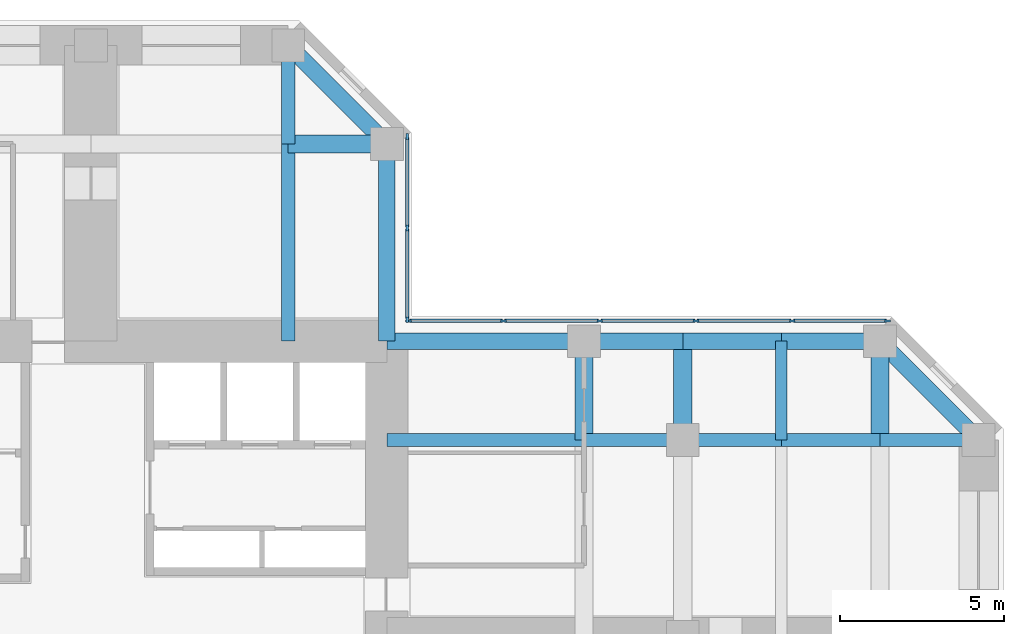
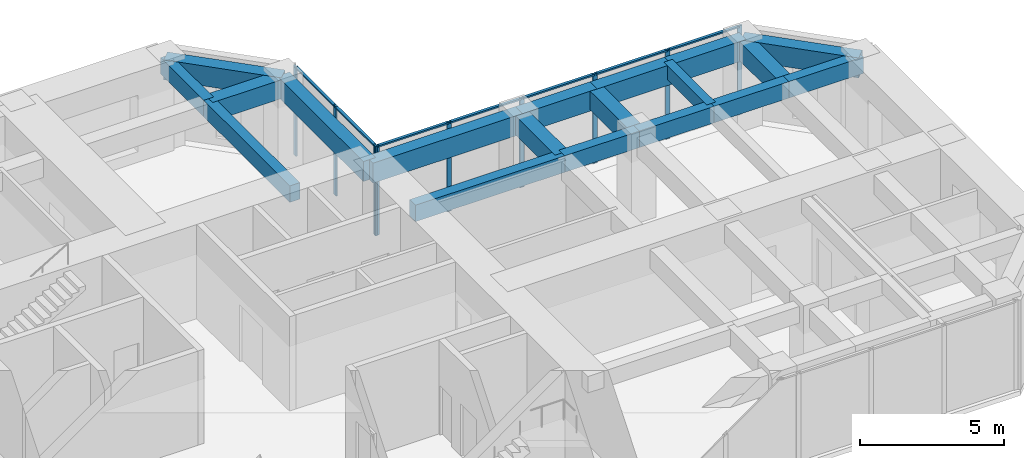
# One storey, part 6 of 12: 19 beams, 16 members, 2 elements without a shape of their own.
"""IFC4 building model written with IfcOpenShell, lengths in metres."""

from ifc_helpers import new_model, si_unit, direction, frame, origin, origin_2d, place, context, subcontext, project, spatial, rectangle, extrude, material, material_profile, profile_set, type_object, element, aggregate, save


model = new_model("IFC4")

# Units and contexts
model_context = context("Model", 3, precision=1e-05, world=origin(), true_north=direction((0.0, 1.0)))
body_context = subcontext(model_context, "Body", "Model", "MODEL_VIEW")
ifc_project = project(units=[si_unit("LENGTHUNIT", "METRE"), si_unit("AREAUNIT", "SQUARE_METRE"), si_unit("VOLUMEUNIT", "CUBIC_METRE"), si_unit("PLANEANGLEUNIT", "RADIAN"), si_unit("MASSUNIT", "GRAM", prefix="KILO")], contexts=[model_context])

# Site, building, storey
site_placement = place(None, origin())
site = spatial("IfcSite", under=ifc_project, at=site_placement, CompositionType="ELEMENT")
building_placement = place(site_placement, origin())
building = spatial("IfcBuilding", under=site, at=building_placement, Name="Torre Cruceta", CompositionType="ELEMENT")
storey_placement = place(building_placement, frame((0.0, 0.0, 116.5)))
storey = spatial("IfcBuildingStorey", under=building, at=storey_placement, Name="L28", CompositionType="ELEMENT", Elevation=116.5)

# Beams
ifc_material_1 = material(Name="Concrete G60 (fck 60 MPa)", Category="concrete")
ifc_material_profile_1 = material_profile(ifc_material_1, rectangle(XDim=0.39990234375, YDim=0.699951171875, at=origin_2d()), Name="RC 400X700")
ifc_profile_set_1 = profile_set([ifc_material_profile_1], Name="Concrete G60 (fck 60 MPa)")
beam_type_1 = type_object("IfcBeamType", Name="COLUMN LINE BEAM RC 400X700", PredefinedType="BEAM", material=ifc_profile_set_1)
beam_1_placement = place(storey_placement, frame((6.0, 9.0, 3.449951171875), z_axis=(0.0, 1.0, 0.0), x_axis=(-1.0, 0.0, 0.0)))
element("IfcBeam", 1, at=beam_1_placement, inside=storey, type_object=beam_type_1, Name="LB5 L28 N col- 1", PredefinedType="BEAM", context=body_context, shape_type="SweptSolid", body=[
    extrude(rectangle(XDim=0.39990234375, YDim=0.699951171875, at=origin_2d()), origin(), (0.0, 0.0, 1.0), 6.0),
])
beam_2_placement = place(storey_placement, frame((6.0, 15.0, 3.449951171875), z_axis=(0.0, 1.0, 0.0), x_axis=(-1.0, 0.0, 0.0)))
element("IfcBeam", 2, at=beam_2_placement, inside=storey, type_object=beam_type_1, Name="LB5 L28 N col- 2", PredefinedType="BEAM", context=body_context, shape_type="SweptSolid", body=[
    extrude(rectangle(XDim=0.39990234375, YDim=0.699951171875, at=origin_2d()), origin(), (0.0, 0.0, 1.0), 3.0),
])
beam_3_placement = place(storey_placement, frame((9.0, 6.0, 3.449951171875), z_axis=(1.0, 0.0, 0.0), x_axis=(0.0, 1.0, 0.0)))
element("IfcBeam", 3, at=beam_3_placement, inside=storey, type_object=beam_type_1, Name="LB5 L28 E col+ 1", PredefinedType="BEAM", context=body_context, shape_type="SweptSolid", body=[
    extrude(rectangle(XDim=0.39990234375, YDim=0.699951171875, at=origin_2d()), origin(), (0.0, 0.0, 1.0), 6.0),
])
for number, where, z_axis, x_axis, name in (
    (4, (15.0, 6.0, 3.449951171875), (1.0, 0.0, 0.0), (0.0, 1.0, 0.0), "LB5 L28 E col+ 2"),
    (5, (18.0, 6.0, 3.449951171875), (1.0, 0.0, 0.0), (0.0, 1.0, 0.0), "LB5 L28 E col+ 3"),
    (6, (21.0, 6.0, 3.449951171875), (1.0, 0.0, 0.0), (0.0, 1.0, 0.0), "LB5 L28 E col+ 4"),
    (7, (24.0, 6.0, 3.449951171875), (1.0, 0.0, 0.0), (0.0, 1.0, 0.0), "LB5 L28 E col+ 5"),
):
    element("IfcBeam", number, at=place(storey_placement, frame(where, z_axis=z_axis, x_axis=x_axis)), inside=storey, type_object=beam_type_1, Name=name, PredefinedType="BEAM", context=body_context, shape_type="SweptSolid", body=[
        extrude(rectangle(XDim=0.39990234375, YDim=0.699951171875, at=origin_2d()), origin(), (0.0, 0.0, 1.0), 3.0),
    ])
ifc_material_2 = material(Name="Concrete G60 (fck 60 MPa)", Category="concrete")
ifc_material_profile_2 = material_profile(ifc_material_2, rectangle(XDim=0.550048828125, YDim=0.800048828125, at=origin_2d()), Name="RC 550X800")
ifc_profile_set_2 = profile_set([ifc_material_profile_2], Name="Concrete G60 (fck 60 MPa)")
beam_type_2 = type_object("IfcBeamType", Name="CROSS BEAM RC 550X800", PredefinedType="BEAM", material=ifc_profile_set_2)
for number, where, z_axis, x_axis, name in (
    (8, (9.0, 15.0, 3.39990234375), (-1.0, 0.0, 0.0), (0.0, -1.0, 0.0), "GB5 L28 N cross15 1"),
    (9, (15.0, 6.0, 3.39990234375), (0.0, 1.0, 0.0), (-1.0, 0.0, 0.0), "GB5 L28 E cross15 4"),
    (10, (18.0, 6.0, 3.39990234375), (0.0, 1.0, 0.0), (-1.0, 0.0, 0.0), "GB5 L28 E cross18 4"),
    (11, (24.0, 6.0, 3.39990234375), (0.0, 1.0, 0.0), (-1.0, 0.0, 0.0), "GB5 L28 E cross24 4"),
):
    element("IfcBeam", number, at=place(storey_placement, frame(where, z_axis=z_axis, x_axis=x_axis)), inside=storey, type_object=beam_type_2, Name=name, PredefinedType="BEAM", context=body_context, shape_type="SweptSolid", body=[
        extrude(rectangle(XDim=0.550048828125, YDim=0.800048828125, at=origin_2d()), origin(), (0.0, 0.0, 1.0), 3.0),
    ])

# Curtain wall, members
ifc_material_3 = material(Name="Aluminium unitised curtain wall", Category="aluminium")
curtain_wall_type = type_object("IfcCurtainWallType", Name="CURTAIN WALL CW-B OFFICE MID RISE", PredefinedType="USERDEFINED", material=ifc_material_3)
curtain_wall_1_placement = place(storey_placement, origin())
curtain_wall_1 = element("IfcCurtainWall", 12, at=curtain_wall_1_placement, inside=storey, type_object=curtain_wall_type, Name="CW-B L28 E side 04", ObjectType="UNITISED", PredefinedType="USERDEFINED")
ifc_material_4 = material(Name="Aluminium mullion", Category="aluminium")
ifc_material_profile_3 = material_profile(ifc_material_4, rectangle(XDim=0.06494140625, YDim=0.179931640625, at=origin_2d()), Name="AL 65X180")
ifc_profile_set_3 = profile_set([ifc_material_profile_3], Name="Aluminium mullion")
member_type_1 = type_object("IfcMemberType", Name="CW-B MULLION 65X180", PredefinedType="MULLION", material=ifc_profile_set_3)
member_1_placement = place(storey_placement, frame((24.224365234375, 9.6201171875, 0.0), z_axis=(0.0, 0.0, 1.0), x_axis=(0.0, -1.0, 0.0)))
member_1 = element("IfcMember", 13, at=member_1_placement, type_object=member_type_1, Name="CW-B mullion 1", PredefinedType="MULLION", context=body_context, shape_type="SweptSolid", body=[
    extrude(rectangle(XDim=0.06494140625, YDim=0.179931640625, at=origin_2d()), origin(), (0.0, 0.0, 1.0), 3.800048828125),
])
member_2_placement = place(storey_placement, frame((21.329345703125, 9.6201171875, 0.0), z_axis=(0.0, 0.0, 1.0), x_axis=(0.0, -1.0, 0.0)))
member_2 = element("IfcMember", 14, at=member_2_placement, type_object=member_type_1, Name="CW-B mullion 2", PredefinedType="MULLION", context=body_context, shape_type="SweptSolid", body=[
    extrude(rectangle(XDim=0.06494140625, YDim=0.179931640625, at=origin_2d()), origin(), (0.0, 0.0, 1.0), 3.800048828125),
])
member_3_placement = place(storey_placement, frame((18.402099609375, 9.6201171875, 0.0), z_axis=(0.0, 0.0, 1.0), x_axis=(0.0, -1.0, 0.0)))
member_3 = element("IfcMember", 15, at=member_3_placement, type_object=member_type_1, Name="CW-B mullion 3", PredefinedType="MULLION", context=body_context, shape_type="SweptSolid", body=[
    extrude(rectangle(XDim=0.06494140625, YDim=0.179931640625, at=origin_2d()), origin(), (0.0, 0.0, 1.0), 3.800048828125),
])
member_4_placement = place(storey_placement, frame((15.474609375, 9.6201171875, 0.0), z_axis=(0.0, 0.0, 1.0), x_axis=(0.0, -1.0, 0.0)))
member_4 = element("IfcMember", 16, at=member_4_placement, type_object=member_type_1, Name="CW-B mullion 4", PredefinedType="MULLION", context=body_context, shape_type="SweptSolid", body=[
    extrude(rectangle(XDim=0.06494140625, YDim=0.179931640625, at=origin_2d()), origin(), (0.0, 0.0, 1.0), 3.800048828125),
])
member_5_placement = place(storey_placement, frame((12.54736328125, 9.6201171875, 0.0), z_axis=(0.0, 0.0, 1.0), x_axis=(0.0, -1.0, 0.0)))
member_5 = element("IfcMember", 17, at=member_5_placement, type_object=member_type_1, Name="CW-B mullion 5", PredefinedType="MULLION", context=body_context, shape_type="SweptSolid", body=[
    extrude(rectangle(XDim=0.06494140625, YDim=0.179931640625, at=origin_2d()), origin(), (0.0, 0.0, 1.0), 3.800048828125),
])
member_6_placement = place(storey_placement, frame((9.652587890625, 9.6201171875, 0.0), z_axis=(0.0, 0.0, 1.0), x_axis=(0.0, -1.0, 0.0)))
member_6 = element("IfcMember", 18, at=member_6_placement, type_object=member_type_1, Name="CW-B mullion 6", PredefinedType="MULLION", context=body_context, shape_type="SweptSolid", body=[
    extrude(rectangle(XDim=0.06494140625, YDim=0.179931640625, at=origin_2d()), origin(), (0.0, 0.0, 1.0), 3.800048828125),
])

curtain_wall_2_placement = place(storey_placement, origin())
curtain_wall_2 = element("IfcCurtainWall", 19, at=curtain_wall_2_placement, inside=storey, type_object=curtain_wall_type, Name="CW-B L28 N side 05", ObjectType="UNITISED", PredefinedType="USERDEFINED")
member_7_placement = place(storey_placement, frame((9.6201171875, 9.652587890625, 0.0), z_axis=(0.0, 0.0, 1.0), x_axis=(-1.0, 0.0, 0.0)))
member_7 = element("IfcMember", 20, at=member_7_placement, type_object=member_type_1, Name="CW-B mullion 1", PredefinedType="MULLION", context=body_context, shape_type="SweptSolid", body=[
    extrude(rectangle(XDim=0.06494140625, YDim=0.179931640625, at=origin_2d()), origin(), (0.0, 0.0, 1.0), 3.800048828125),
])
member_8_placement = place(storey_placement, frame((9.6201171875, 12.4384765625, 0.0), z_axis=(0.0, 0.0, 1.0), x_axis=(-1.0, 0.0, 0.0)))
member_8 = element("IfcMember", 21, at=member_8_placement, type_object=member_type_1, Name="CW-B mullion 2", PredefinedType="MULLION", context=body_context, shape_type="SweptSolid", body=[
    extrude(rectangle(XDim=0.06494140625, YDim=0.179931640625, at=origin_2d()), origin(), (0.0, 0.0, 1.0), 3.800048828125),
])
member_9_placement = place(storey_placement, frame((9.6201171875, 15.224365234375, 0.0), z_axis=(0.0, 0.0, 1.0), x_axis=(-1.0, 0.0, 0.0)))
member_9 = element("IfcMember", 22, at=member_9_placement, type_object=member_type_1, Name="CW-B mullion 3", PredefinedType="MULLION", context=body_context, shape_type="SweptSolid", body=[
    extrude(rectangle(XDim=0.06494140625, YDim=0.179931640625, at=origin_2d()), origin(), (0.0, 0.0, 1.0), 3.800048828125),
])

# Member
ifc_material_5 = material(Name="Aluminium transom", Category="aluminium")
ifc_material_profile_4 = material_profile(ifc_material_5, rectangle(XDim=0.110107421875, YDim=0.06494140625, at=origin_2d()), Name="AL 110X65")
ifc_profile_set_4 = profile_set([ifc_material_profile_4], Name="Aluminium transom")
member_type_2 = type_object("IfcMemberType", Name="CW-B TRANSOM 65X110", PredefinedType="USERDEFINED", material=ifc_profile_set_4)
member_10_placement = place(storey_placement, frame((24.19189453125, 9.6201171875, 3.767578125), z_axis=(-1.0, 0.0, 0.0), x_axis=(0.0, -1.0, 0.0)))
member_10 = element("IfcMember", 23, at=member_10_placement, type_object=member_type_2, Name="CW-B transom 1", ObjectType="TRANSOM", PredefinedType="USERDEFINED", context=body_context, shape_type="SweptSolid", body=[
    extrude(rectangle(XDim=0.110107421875, YDim=0.06494140625, at=origin_2d()), origin(), (0.0, 0.0, 1.0), 2.829833984375),
])

member_11_placement = place(storey_placement, frame((21.296875, 9.6201171875, 3.767578125), z_axis=(-1.0, 0.0, 0.0), x_axis=(0.0, -1.0, 0.0)))
member_11 = element("IfcMember", 24, at=member_11_placement, type_object=member_type_2, Name="CW-B transom 2", ObjectType="TRANSOM", PredefinedType="USERDEFINED", context=body_context, shape_type="SweptSolid", body=[
    extrude(rectangle(XDim=0.110107421875, YDim=0.06494140625, at=origin_2d()), origin(), (0.0, 0.0, 1.0), 2.8623046875),
])

member_12_placement = place(storey_placement, frame((18.36962890625, 9.6201171875, 3.767578125), z_axis=(-1.0, 0.0, 0.0), x_axis=(0.0, -1.0, 0.0)))
member_12 = element("IfcMember", 25, at=member_12_placement, type_object=member_type_2, Name="CW-B transom 3", ObjectType="TRANSOM", PredefinedType="USERDEFINED", context=body_context, shape_type="SweptSolid", body=[
    extrude(rectangle(XDim=0.110107421875, YDim=0.06494140625, at=origin_2d()), origin(), (0.0, 0.0, 1.0), 2.8623046875),
])

member_13_placement = place(storey_placement, frame((15.442138671875, 9.6201171875, 3.767578125), z_axis=(-1.0, 0.0, 0.0), x_axis=(0.0, -1.0, 0.0)))
member_13 = element("IfcMember", 26, at=member_13_placement, type_object=member_type_2, Name="CW-B transom 4", ObjectType="TRANSOM", PredefinedType="USERDEFINED", context=body_context, shape_type="SweptSolid", body=[
    extrude(rectangle(XDim=0.110107421875, YDim=0.06494140625, at=origin_2d()), origin(), (0.0, 0.0, 1.0), 2.8623046875),
])

member_14_placement = place(storey_placement, frame((12.514892578125, 9.6201171875, 3.767578125), z_axis=(-1.0, 0.0, 0.0), x_axis=(0.0, -1.0, 0.0)))
member_14 = element("IfcMember", 27, at=member_14_placement, type_object=member_type_2, Name="CW-B transom 5", ObjectType="TRANSOM", PredefinedType="USERDEFINED", context=body_context, shape_type="SweptSolid", body=[
    extrude(rectangle(XDim=0.110107421875, YDim=0.06494140625, at=origin_2d()), origin(), (0.0, 0.0, 1.0), 2.829833984375),
])

aggregate(curtain_wall_1, [member_1, member_2, member_3, member_4, member_5, member_6, member_10, member_11, member_12, member_13, member_14])

member_15_placement = place(storey_placement, frame((9.6201171875, 9.68505859375, 3.767578125), z_axis=(0.0, 1.0, 0.0), x_axis=(-1.0, 0.0, 0.0)))
member_15 = element("IfcMember", 28, at=member_15_placement, type_object=member_type_2, Name="CW-B transom 1", ObjectType="TRANSOM", PredefinedType="USERDEFINED", context=body_context, shape_type="SweptSolid", body=[
    extrude(rectangle(XDim=0.110107421875, YDim=0.06494140625, at=origin_2d()), origin(), (0.0, 0.0, 1.0), 2.720947265625),
])

member_16_placement = place(storey_placement, frame((9.6201171875, 12.470947265625, 3.767578125), z_axis=(0.0, 1.0, 0.0), x_axis=(-1.0, 0.0, 0.0)))
member_16 = element("IfcMember", 29, at=member_16_placement, type_object=member_type_2, Name="CW-B transom 2", ObjectType="TRANSOM", PredefinedType="USERDEFINED", context=body_context, shape_type="SweptSolid", body=[
    extrude(rectangle(XDim=0.110107421875, YDim=0.06494140625, at=origin_2d()), origin(), (0.0, 0.0, 1.0), 2.720947265625),
])

aggregate(curtain_wall_2, [member_7, member_8, member_9, member_15, member_16])

# Beams
ifc_material_6 = material(Name="Concrete G60 (fck 60 MPa)", Category="concrete")
ifc_material_profile_5 = material_profile(ifc_material_6, rectangle(XDim=0.35009765625, YDim=0.60009765625, at=origin_2d()), Name="RC 350X600")
ifc_profile_set_5 = profile_set([ifc_material_profile_5], Name="Concrete G60 (fck 60 MPa)")
beam_type_3 = type_object("IfcBeamType", Name="SECONDARY BEAM RC 350X600", PredefinedType="JOIST", material=ifc_profile_set_5)
beam_4_placement = place(storey_placement, frame((21.0, 6.0, 3.5), z_axis=(0.0, 1.0, 0.0), x_axis=(-1.0, 0.0, 0.0)))
element("IfcBeam", 30, at=beam_4_placement, inside=storey, type_object=beam_type_3, Name="JB5 L28 E sec21 4", PredefinedType="JOIST", context=body_context, shape_type="SweptSolid", body=[
    extrude(rectangle(XDim=0.35009765625, YDim=0.60009765625, at=origin_2d()), origin(), (0.0, 0.0, 1.0), 3.0),
])
ifc_material_7 = material(Name="Concrete G60 (fck 60 MPa)", Category="concrete")
ifc_material_profile_6 = material_profile(ifc_material_7, rectangle(XDim=0.5, YDim=0.85009765625, at=origin_2d()), Name="RC 500X850")
ifc_profile_set_6 = profile_set([ifc_material_profile_6], Name="Concrete G60 (fck 60 MPa)")
beam_type_4 = type_object("IfcBeamType", Name="SPANDREL BEAM RC 500X850", PredefinedType="SPANDREL", material=ifc_profile_set_6)
beam_5_placement = place(storey_placement, frame((9.0, 9.0, 3.375), z_axis=(0.0, 1.0, 0.0), x_axis=(-1.0, 0.0, 0.0)))
element("IfcBeam", 31, at=beam_5_placement, inside=storey, type_object=beam_type_4, Name="SB5 L28 N side- 1", PredefinedType="SPANDREL", context=body_context, shape_type="SweptSolid", body=[
    extrude(rectangle(XDim=0.5, YDim=0.85009765625, at=origin_2d()), origin(), (0.0, 0.0, 1.0), 6.0),
])
beam_6_placement = place(storey_placement, frame((9.0, 15.0, 3.375), z_axis=(-0.707106781187, 0.707106781187, 0.0), x_axis=(-0.707106781187, -0.707106781187, 0.0)))
element("IfcBeam", 32, at=beam_6_placement, inside=storey, type_object=beam_type_4, Name="SB5 L28 N side- 2", PredefinedType="SPANDREL", context=body_context, shape_type="SweptSolid", body=[
    extrude(rectangle(XDim=0.5, YDim=0.85009765625, at=origin_2d()), origin(), (0.0, 0.0, 1.0), 4.24267578125),
])
beam_7_placement = place(storey_placement, frame((9.0, 9.0, 3.375), z_axis=(1.0, 0.0, 0.0), x_axis=(0.0, 1.0, 0.0)))
element("IfcBeam", 33, at=beam_7_placement, inside=storey, type_object=beam_type_4, Name="SB5 L28 E side+ 1", PredefinedType="SPANDREL", context=body_context, shape_type="SweptSolid", body=[
    extrude(rectangle(XDim=0.5, YDim=0.85009765625, at=origin_2d()), origin(), (0.0, 0.0, 1.0), 6.0),
])
for number, where, z_axis, x_axis, name in (
    (34, (15.0, 9.0, 3.375), (1.0, 0.0, 0.0), (0.0, 1.0, 0.0), "SB5 L28 E side+ 2"),
    (35, (18.0, 9.0, 3.375), (1.0, 0.0, 0.0), (0.0, 1.0, 0.0), "SB5 L28 E side+ 3"),
    (36, (21.0, 9.0, 3.375), (1.0, 0.0, 0.0), (0.0, 1.0, 0.0), "SB5 L28 E side+ 4"),
):
    element("IfcBeam", number, at=place(storey_placement, frame(where, z_axis=z_axis, x_axis=x_axis)), inside=storey, type_object=beam_type_4, Name=name, PredefinedType="SPANDREL", context=body_context, shape_type="SweptSolid", body=[
        extrude(rectangle(XDim=0.5, YDim=0.85009765625, at=origin_2d()), origin(), (0.0, 0.0, 1.0), 3.0),
    ])
beam_8_placement = place(storey_placement, frame((24.0, 9.0, 3.375), z_axis=(0.707106781187, -0.707106781187, 0.0), x_axis=(0.707106781187, 0.707106781187, 0.0)))
element("IfcBeam", 37, at=beam_8_placement, inside=storey, type_object=beam_type_4, Name="SB5 L28 E side+ 5", PredefinedType="SPANDREL", context=body_context, shape_type="SweptSolid", body=[
    extrude(rectangle(XDim=0.5, YDim=0.85009765625, at=origin_2d()), origin(), (0.0, 0.0, 1.0), 4.24267578125),
])

save(model, "model.ifc")
